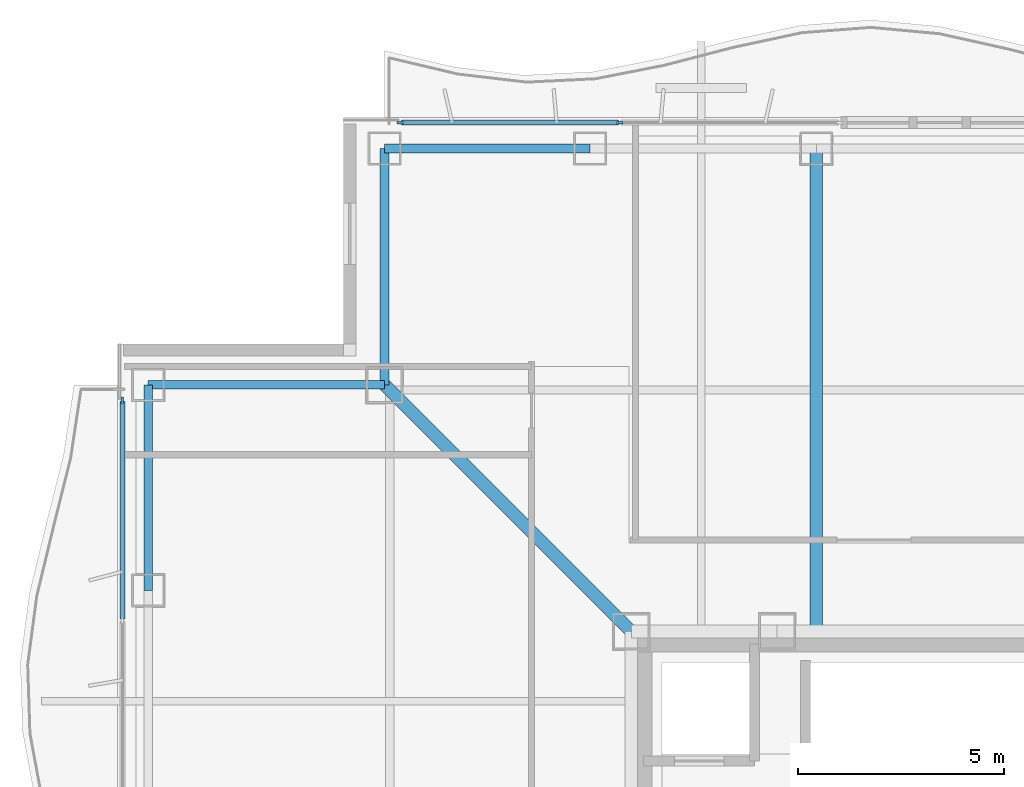
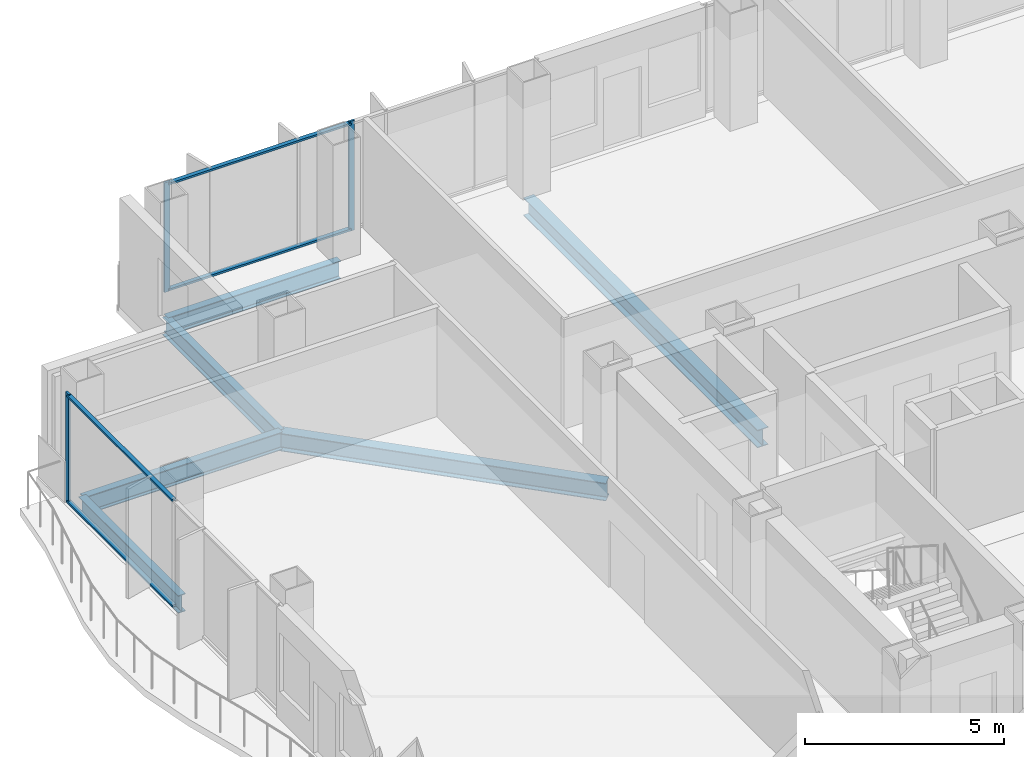
# One storey, part 7 of 16: 7 members, 6 beams, 2 elements without a shape of their own.
"""IFC4 building model written with IfcOpenShell, lengths in metres."""

from ifc_helpers import new_model, si_unit, direction, frame, origin, origin_2d, place, context, subcontext, project, spatial, rectangle, i_section, extrude, material, layer, layer_set, material_profile, profile_set, type_object, element, aggregate, save


model = new_model("IFC4")

# Units and contexts
model_context = context("Model", 3, precision=1e-05, world=origin(), true_north=direction((0.0, 1.0)))
body_context = subcontext(model_context, "Body", "Model", "MODEL_VIEW")
ifc_project = project(units=[si_unit("LENGTHUNIT", "METRE"), si_unit("AREAUNIT", "SQUARE_METRE"), si_unit("VOLUMEUNIT", "CUBIC_METRE"), si_unit("PLANEANGLEUNIT", "RADIAN"), si_unit("MASSUNIT", "GRAM", prefix="KILO")], contexts=[model_context])

# Site, building, storey
site_placement = place(None, origin())
site = spatial("IfcSite", under=ifc_project, at=site_placement, CompositionType="ELEMENT")
building_placement = place(site_placement, origin())
building = spatial("IfcBuilding", under=site, at=building_placement, Name="Trevonay Congress Spire", CompositionType="ELEMENT")
storey_placement = place(building_placement, frame((0.0, 0.0, 195.0)))
storey = spatial("IfcBuildingStorey", under=building, at=storey_placement, Name="L50", CompositionType="ELEMENT", Elevation=195.0)

# Beams
ifc_material_1 = material(Name="Steel ASTM A572 Grade 50", Category="steel")
ifc_material_profile_1 = material_profile(ifc_material_1, i_section(OverallWidth=0.31201171875, OverallDepth=0.54296875, WebThickness=0.0126953125, FlangeThickness=0.020263671875, FilletRadius=0.014892578125, at=origin_2d()), Name="W530x150")
ifc_profile_set_1 = profile_set([ifc_material_profile_1], Name="Steel ASTM A572 Grade 50")
beam_type_1 = type_object("IfcBeamType", Name="BM-GIRD-W530X150", PredefinedType="BEAM", material=ifc_profile_set_1)
beam_1_placement = place(storey_placement, frame((-7.5, 7.5, -0.511474609375), z_axis=(-0.707106781187, 0.707106781187, 0.0), x_axis=(-0.707106781187, -0.707106781187, 0.0)))
element("IfcBeam", 1, at=beam_1_placement, inside=storey, type_object=beam_type_1, Name="L50 structural beam BM-L50-CDNW", PredefinedType="BEAM", context=body_context, shape_type="SweptSolid", body=[
    extrude(i_section(OverallWidth=0.31201171875, OverallDepth=0.54296875, WebThickness=0.0126953125, FlangeThickness=0.020263671875, FilletRadius=0.014892578125, at=origin_2d()), origin(), (0.0, 0.0, 1.0), 8.4853515625),
])
beam_2_placement = place(storey_placement, frame((-3.0, 7.5, -0.511474609375), z_axis=(0.0, 1.0, 0.0), x_axis=(-1.0, 0.0, 0.0)))
element("IfcBeam", 2, at=beam_2_placement, inside=storey, type_object=beam_type_1, Name="L50 structural beam BM-L50-GN-M", PredefinedType="BEAM", context=body_context, shape_type="SweptSolid", body=[
    extrude(i_section(OverallWidth=0.31201171875, OverallDepth=0.54296875, WebThickness=0.0126953125, FlangeThickness=0.020263671875, FilletRadius=0.014892578125, at=origin_2d()), origin(), (0.0, 0.0, 1.0), 11.75),
])
ifc_material_profile_2 = material_profile(ifc_material_1, i_section(OverallWidth=0.2119140625, OverallDepth=0.5439453125, WebThickness=0.01318359375, FlangeThickness=0.021240234375, FilletRadius=0.014892578125, at=origin_2d()), Name="W530x123")
ifc_profile_set_2 = profile_set([ifc_material_profile_2], Name="Steel ASTM A572 Grade 50")
beam_type_2 = type_object("IfcBeamType", Name="BM-RING-W530X123", PredefinedType="BEAM", material=ifc_profile_set_2)
for number, where, z_axis, x_axis, name in (
    (3, (-13.5, 19.25, -0.511962890625), (1.0, 0.0, 0.0), (0.0, 1.0, 0.0), "L50 structural beam BM-L50-PN1"),
    (4, (-19.25, 8.5, -0.511962890625), (0.0, 1.0, 0.0), (-1.0, 0.0, 0.0), "L50 structural beam BM-L50-PW5"),
):
    element("IfcBeam", number, at=place(storey_placement, frame(where, z_axis=z_axis, x_axis=x_axis)), inside=storey, type_object=beam_type_2, Name=name, PredefinedType="BEAM", context=body_context, shape_type="SweptSolid", body=[
        extrude(i_section(OverallWidth=0.2119140625, OverallDepth=0.5439453125, WebThickness=0.01318359375, FlangeThickness=0.021240234375, FilletRadius=0.014892578125, at=origin_2d()), origin(), (0.0, 0.0, 1.0), 5.0),
    ])
for number, where, z_axis, x_axis, name in (
    (5, (-13.5, 19.25, -0.511962890625), (0.0, -1.0, 0.0), (1.0, 0.0, 0.0), "L50 structural beam BM-L50-N1NW"),
    (6, (-19.25, 13.5, -0.511962890625), (1.0, 0.0, 0.0), (0.0, 1.0, 0.0), "L50 structural beam BM-L50-N2NW"),
):
    element("IfcBeam", number, at=place(storey_placement, frame(where, z_axis=z_axis, x_axis=x_axis)), inside=storey, type_object=beam_type_2, Name=name, PredefinedType="BEAM", context=body_context, shape_type="SweptSolid", body=[
        extrude(i_section(OverallWidth=0.2119140625, OverallDepth=0.5439453125, WebThickness=0.01318359375, FlangeThickness=0.021240234375, FilletRadius=0.014892578125, at=origin_2d()), origin(), (0.0, 0.0, 1.0), 5.75),
    ])

# Curtain wall, members
ifc_material_2 = material(Name="Pale Anodised Aluminium EN AW-6063-T6", Category="aluminium")
ifc_layer = layer(ifc_material_2, 0.169921875, Name="Pale Anodised Aluminium EN AW-6063-T6")
ifc_layer_set = layer_set([ifc_layer], Name="Pale Anodised Aluminium EN AW-6063-T6")
curtain_wall_type = type_object("IfcCurtainWallType", Name="CW-SYS04-CORP-PALE-METAL", PredefinedType="NOTDEFINED", material=ifc_layer_set)
curtain_wall_1_placement = place(storey_placement, origin())
curtain_wall_1 = element("IfcCurtainWall", 7, at=curtain_wall_1_placement, inside=storey, type_object=curtain_wall_type, Name="L50 NA unitised curtain wall", PredefinedType="NOTDEFINED")
ifc_material_profile_3 = material_profile(ifc_material_2, rectangle(XDim=0.06005859375, YDim=0.159912109375, at=origin_2d()), Name="CW-MULLION-160-ALUMINIUM")
ifc_profile_set_3 = profile_set([ifc_material_profile_3], Name="Pale Anodised Aluminium EN AW-6063-T6")
member_type_1 = type_object("IfcMemberType", Name="CW-MULLION-160-ALUMINIUM", PredefinedType="MULLION", material=ifc_profile_set_3)
member_1_placement = place(storey_placement, frame((-13.1201171875, 19.8798828125, 0.0), z_axis=(0.0, 0.0, 1.0), x_axis=(0.0, 1.0, 0.0)))
member_1 = element("IfcMember", 8, at=member_1_placement, type_object=member_type_1, Name="CW04 mullion 1", PredefinedType="MULLION", context=body_context, shape_type="SweptSolid", body=[
    extrude(rectangle(XDim=0.06005859375, YDim=0.159912109375, at=origin_2d()), origin(), (0.0, 0.0, 1.0), 3.360107421875),
])
member_2_placement = place(storey_placement, frame((-7.77490234375, 19.8798828125, 0.0), z_axis=(0.0, 0.0, 1.0), x_axis=(0.0, 1.0, 0.0)))
member_2 = element("IfcMember", 9, at=member_2_placement, type_object=member_type_1, Name="CW04 mullion 2", PredefinedType="MULLION", context=body_context, shape_type="SweptSolid", body=[
    extrude(rectangle(XDim=0.06005859375, YDim=0.159912109375, at=origin_2d()), origin(), (0.0, 0.0, 1.0), 3.360107421875),
])

# Curtain wall, member
curtain_wall_2_placement = place(storey_placement, origin())
curtain_wall_2 = element("IfcCurtainWall", 10, at=curtain_wall_2_placement, inside=storey, type_object=curtain_wall_type, Name="L50 WB unitised curtain wall", PredefinedType="NOTDEFINED")
member_3_placement = place(storey_placement, frame((-19.8798828125, 13.1201171875, 0.0), z_axis=(0.0, 0.0, 1.0), x_axis=(-1.0, 0.0, 0.0)))
member_3 = element("IfcMember", 11, at=member_3_placement, type_object=member_type_1, Name="CW04 mullion 3", PredefinedType="MULLION", context=body_context, shape_type="SweptSolid", body=[
    extrude(rectangle(XDim=0.06005859375, YDim=0.159912109375, at=origin_2d()), origin(), (0.0, 0.0, 1.0), 3.360107421875),
])

# Member
ifc_material_profile_4 = material_profile(ifc_material_2, rectangle(XDim=0.1201171875, YDim=0.06005859375, at=origin_2d()), Name="CW-TRANSOM-120-ALUMINIUM")
ifc_profile_set_4 = profile_set([ifc_material_profile_4], Name="Pale Anodised Aluminium EN AW-6063-T6")
member_type_2 = type_object("IfcMemberType", Name="CW-TRANSOM-120-ALUMINIUM", PredefinedType="USERDEFINED", material=ifc_profile_set_4)
member_4_placement = place(storey_placement, frame((-13.090087890625, 19.8798828125, 0.06005859375), z_axis=(1.0, 0.0, 0.0), x_axis=(0.0, 1.0, 0.0)))
member_4 = element("IfcMember", 12, at=member_4_placement, type_object=member_type_2, Name="CW04 transom 1.1", ObjectType="TRANSOM", PredefinedType="USERDEFINED", context=body_context, shape_type="SweptSolid", body=[
    extrude(rectangle(XDim=0.1201171875, YDim=0.06005859375, at=origin_2d()), origin(), (0.0, 0.0, 1.0), 5.28515625),
])

member_5_placement = place(storey_placement, frame((-13.090087890625, 19.8798828125, 3.300048828125), z_axis=(1.0, 0.0, 0.0), x_axis=(0.0, 1.0, 0.0)))
member_5 = element("IfcMember", 13, at=member_5_placement, type_object=member_type_2, Name="CW04 transom 1.2", ObjectType="TRANSOM", PredefinedType="USERDEFINED", context=body_context, shape_type="SweptSolid", body=[
    extrude(rectangle(XDim=0.1201171875, YDim=0.06005859375, at=origin_2d()), origin(), (0.0, 0.0, 1.0), 5.28515625),
])

aggregate(curtain_wall_1, [member_1, member_2, member_4, member_5])

member_6_placement = place(storey_placement, frame((-19.8798828125, 7.804931640625, 0.06005859375), z_axis=(0.0, 1.0, 0.0), x_axis=(-1.0, 0.0, 0.0)))
member_6 = element("IfcMember", 14, at=member_6_placement, type_object=member_type_2, Name="CW04 transom 2.1", ObjectType="TRANSOM", PredefinedType="USERDEFINED", context=body_context, shape_type="SweptSolid", body=[
    extrude(rectangle(XDim=0.1201171875, YDim=0.06005859375, at=origin_2d()), origin(), (0.0, 0.0, 1.0), 5.28515625),
])

member_7_placement = place(storey_placement, frame((-19.8798828125, 7.804931640625, 3.300048828125), z_axis=(0.0, 1.0, 0.0), x_axis=(-1.0, 0.0, 0.0)))
member_7 = element("IfcMember", 15, at=member_7_placement, type_object=member_type_2, Name="CW04 transom 2.2", ObjectType="TRANSOM", PredefinedType="USERDEFINED", context=body_context, shape_type="SweptSolid", body=[
    extrude(rectangle(XDim=0.1201171875, YDim=0.06005859375, at=origin_2d()), origin(), (0.0, 0.0, 1.0), 5.28515625),
])

aggregate(curtain_wall_2, [member_3, member_6, member_7])

save(model, "model.ifc")
